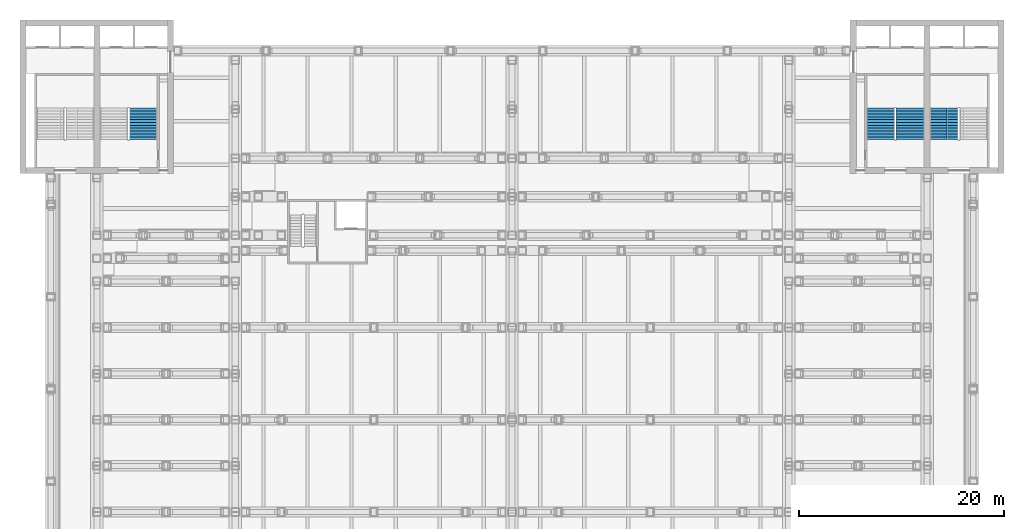
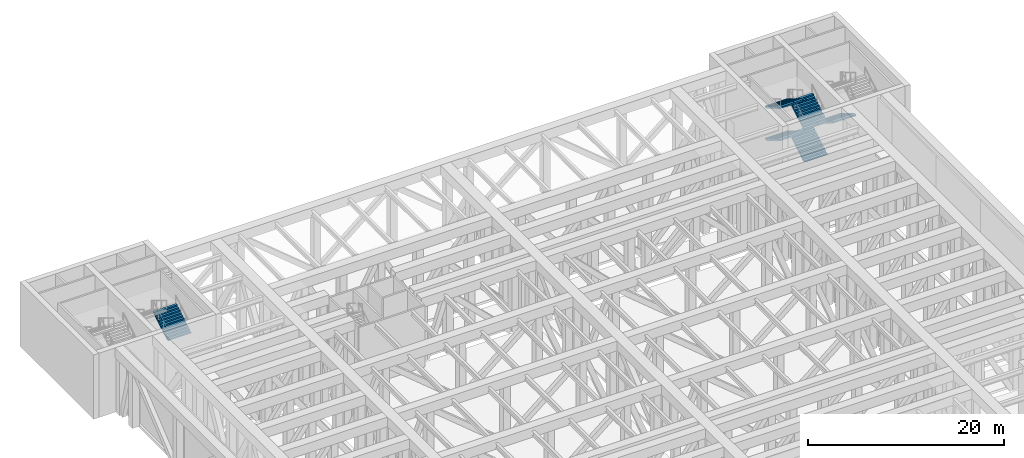
# One storey, part 16 of 20: 6 stair flights, 3 elements without a shape of their own.
"""IFC4 building model written with IfcOpenShell, lengths in metres."""

import ifcopenshell
import ifcopenshell.guid

model = None  # the IFC model being written
_history = None  # IfcOwnerHistory: only IFC2X3 demands one
_inside = {}  # id of a spatial element -> (the spatial element, [elements in it])
_under = {}  # id of a project, library or spatial element -> (it, [spatial elements below it])
_declared = {}  # id of a project -> (the project, [libraries it declares])
_typed = {}  # id of a type object -> (the type object, [elements of that type])
_made_of = {}  # id of a material, layer set ... -> (it, [elements and type objects made of it])


def new_model(schema):
    """Start an empty IFC model of exactly this schema.

    Asked for "IFC4X3", IfcOpenShell would pick the latest addendum, in which some entities
    have other attributes; the version numbers below select the first issue.
    IFC2X3 requires an IfcOwnerHistory on every rooted entity: one is made here for all.
    """
    global model, _history
    if schema == "IFC4X3":
        model = ifcopenshell.file(schema_version=(4, 3, 0, 0))
    else:
        model = ifcopenshell.file(schema=schema)
    _inside.clear()
    _under.clear()
    _declared.clear()
    _typed.clear()
    _made_of.clear()
    _history = None
    if model.schema == "IFC2X3":
        org = make("IfcOrganization", Name="unknown")
        user = make(
            "IfcPersonAndOrganization",
            ThePerson=make("IfcPerson", FamilyName="unknown"),
            TheOrganization=org,
        )
        app = make(
            "IfcApplication",
            ApplicationDeveloper=org,
            Version="unknown",
            ApplicationFullName="unknown",
            ApplicationIdentifier="unknown",
        )
        _history = make(
            "IfcOwnerHistory",
            OwningUser=user,
            OwningApplication=app,
            ChangeAction="ADDED",
            CreationDate=0,
        )
    return model


def make(cls, **values):
    """One entity of the class cls with the attributes given. An attribute that is None is left unset."""
    return model.create_entity(
        cls, **{name: value for name, value in values.items() if value is not None}
    )


def rooted(cls, **values):
    """An entity with a GlobalId (a new one), such as an element, a storey or a relation."""
    return make(cls, GlobalId=ifcopenshell.guid.new(), OwnerHistory=_history, **values)


def si_unit(unit_type, name, prefix=None):
    """IfcSIUnit, for example si_unit("LENGTHUNIT", "METRE", prefix="MILLI")."""
    return make("IfcSIUnit", UnitType=unit_type, Prefix=prefix, Name=name)


def assignment(units):
    """IfcUnitAssignment: the units of a project."""
    return None if units is None else make("IfcUnitAssignment", Units=units)


def point(xyz):
    """IfcCartesianPoint."""
    return None if xyz is None else make("IfcCartesianPoint", Coordinates=xyz)


def direction(xyz):
    """IfcDirection."""
    return None if xyz is None else make("IfcDirection", DirectionRatios=xyz)


def frame(location, z_axis=None, x_axis=None):
    """IfcAxis2Placement3D, a coordinate frame: its origin and axes. An axis left out is left unset."""
    return make(
        "IfcAxis2Placement3D",
        Location=point(location),
        Axis=direction(z_axis),
        RefDirection=direction(x_axis),
    )


def origin():
    """The frame at (0, 0, 0) with its axes left unset."""
    return frame((0.0, 0.0, 0.0))


def place(relative_to, where):
    """IfcLocalPlacement: puts the frame where relative to a parent placement (None: the world)."""
    return make(
        "IfcLocalPlacement", PlacementRelTo=relative_to, RelativePlacement=where
    )


def context(
    kind, dimensions, precision=None, world=None, true_north=None, identifier=None
):
    """IfcGeometricRepresentationContext, for example the 3D "Model" context."""
    return make(
        "IfcGeometricRepresentationContext",
        ContextIdentifier=identifier,
        ContextType=kind,
        CoordinateSpaceDimension=dimensions,
        Precision=precision,
        WorldCoordinateSystem=world,
        TrueNorth=true_north,
    )


def subcontext(parent, identifier, kind, view, scale=None):
    """IfcGeometricRepresentationSubContext, for example "Body" below "Model"."""
    return make(
        "IfcGeometricRepresentationSubContext",
        ContextIdentifier=identifier,
        ContextType=kind,
        ParentContext=parent,
        TargetScale=scale,
        TargetView=view,
    )


def project(units=None, contexts=None):
    """IfcProject with its units and contexts."""
    return rooted(
        "IfcProject",
        Name="project",
        RepresentationContexts=contexts,
        UnitsInContext=assignment(units),
    )


def spatial(cls, under=None, at=None, **own):
    """A site, building, storey or space (cls), placed at a placement, below another one or the project."""
    s = rooted(cls, ObjectPlacement=at, **own)
    if under is not None:
        _under.setdefault(under.id(), (under, []))[1].append(s)
    return s


def polyline(points):
    """IfcPolyline through the points."""
    return make("IfcPolyline", Points=[point(p) for p in points])


def outline(outer, holes=None, kind="AREA"):
    """IfcArbitraryClosedProfileDef: a profile drawn as a closed curve; with holes, ...WithVoids."""
    if holes is None:
        return make("IfcArbitraryClosedProfileDef", ProfileType=kind, OuterCurve=outer)
    return make(
        "IfcArbitraryProfileDefWithVoids",
        ProfileType=kind,
        OuterCurve=outer,
        InnerCurves=holes,
    )


def extrude(swept, where, along, depth):
    """IfcExtrudedAreaSolid: the profile swept, set in the frame where, extruded along a direction by depth."""
    return make(
        "IfcExtrudedAreaSolid",
        SweptArea=swept,
        Position=where,
        ExtrudedDirection=direction(along),
        Depth=depth,
    )


def shape(context_of_items, identifier, shape_type, items):
    """IfcShapeRepresentation: the items that make up one representation, for example the "Body"."""
    return make(
        "IfcShapeRepresentation",
        ContextOfItems=context_of_items,
        RepresentationIdentifier=identifier,
        RepresentationType=shape_type,
        Items=items,
    )


def material(Name=None, Category=None):
    """IfcMaterial."""
    return make("IfcMaterial", Name=Name, Category=Category)


def made_of(thing, what):
    """Note that an element or type object is made of a material, layer set ...; save() writes the relation."""
    if what is not None:
        _made_of.setdefault(what.id(), (what, []))[1].append(thing)
    return thing


def type_object(cls, material=None, **own):
    """A type object (cls), such as IfcWallType, which elements share."""
    return made_of(rooted(cls, **own), material)


def element(
    cls,
    number,
    at=None,
    inside=None,
    cuts=None,
    type_object=None,
    material=None,
    context=None,
    identifier="Body",
    shape_type=None,
    held_by="IfcProductDefinitionShape",
    body=None,
    shapes=None,
    **own,
):
    """One element of the class cls, such as IfcWall. Its Tag is "e" and its number.

    at: its placement. inside: the storey or other place that contains it. cuts: it is an
    opening in that element (IfcRelVoidsElement). A single representation is given by context,
    identifier, shape_type and body (its items); several are given by shapes. held_by: the class
    of the entity that holds the representations. save() writes the other relations.
    """
    e = rooted(cls, Tag="e%d" % number, ObjectPlacement=at, **own)
    if body is not None:
        shapes = [shape(context, identifier, shape_type, body)]
    if shapes is not None:
        e.Representation = make(held_by, Representations=shapes)
    if inside is not None:
        _inside.setdefault(inside.id(), (inside, []))[1].append(e)
    if cuts is not None:
        rooted(
            "IfcRelVoidsElement", RelatingBuildingElement=cuts, RelatedOpeningElement=e
        )
    if type_object is not None:
        _typed.setdefault(type_object.id(), (type_object, []))[1].append(e)
    return made_of(e, material)


def aggregate(whole, parts):
    """IfcRelAggregates: a whole, such as a stair, and the parts it consists of."""
    return rooted("IfcRelAggregates", RelatingObject=whole, RelatedObjects=parts)


def save(model, path):
    """Write the relations noted so far, then the file.

    IfcRelAggregates (storeys below a building ...), IfcRelContainedInSpatialStructure (elements
    in a storey), IfcRelDefinesByType, IfcRelAssociatesMaterial and IfcRelDeclares: one each for
    every whole, place, type object, material and project.
    """
    for whole, parts in _under.values():
        aggregate(whole, parts)
    for where, things in _inside.values():
        rooted(
            "IfcRelContainedInSpatialStructure",
            RelatedElements=things,
            RelatingStructure=where,
        )
    for kind, things in _typed.values():
        rooted("IfcRelDefinesByType", RelatedObjects=things, RelatingType=kind)
    for what, things in _made_of.values():
        rooted("IfcRelAssociatesMaterial", RelatedObjects=things, RelatingMaterial=what)
    for by, libraries in _declared.values():
        rooted("IfcRelDeclares", RelatingContext=by, RelatedDefinitions=libraries)
    model.write(path)


model = new_model("IFC4")

# Units and contexts
model_context = context("Model", 3, precision=1e-05, world=origin(), true_north=direction((0.0, 1.0)))
body_context = subcontext(model_context, "Body", "Model", "MODEL_VIEW")
ifc_project = project(units=[si_unit("LENGTHUNIT", "METRE"), si_unit("AREAUNIT", "SQUARE_METRE"), si_unit("VOLUMEUNIT", "CUBIC_METRE"), si_unit("PLANEANGLEUNIT", "RADIAN"), si_unit("MASSUNIT", "GRAM", prefix="KILO")], contexts=[model_context])

# Site, building, storey
site_placement = place(None, origin())
site = spatial("IfcSite", under=ifc_project, at=site_placement, CompositionType="ELEMENT")
building_placement = place(site_placement, origin())
building = spatial("IfcBuilding", under=site, at=building_placement, Name="Corbelhall Arena Tower", CompositionType="ELEMENT")
storey_placement = place(building_placement, frame((0.0, 0.0, 52.0)))
storey = spatial("IfcBuildingStorey", under=building, at=storey_placement, Name="L07", CompositionType="ELEMENT", Elevation=52.0)

# Stair, stair flights
ifc_material = material(Name="Reinforced concrete C40/50", Category="concrete")
stair_type = type_object("IfcStairType", Name="AR-EXIT-STAIR", PredefinedType="HALF_TURN_STAIR", material=ifc_material)
stair_1_placement = place(storey_placement, origin())
stair_1 = element("IfcStair", 1, at=stair_1_placement, inside=storey, type_object=stair_type, Name="L07 exit stair AS1", PredefinedType="HALF_TURN_STAIR")
stair_flight_type = type_object("IfcStairFlightType", Name="AR-EXIT-FLIGHT", PredefinedType="STRAIGHT", material=ifc_material)
stair_flight_1_placement = place(storey_placement, frame((38.840087890625, 27.320068359375, 0.0), z_axis=(0.0, 0.0, 1.0), x_axis=(0.0, 1.0, 0.0)))
stair_flight_1 = element("IfcStairFlight", 2, at=stair_flight_1_placement, type_object=stair_flight_type, Name="AS1 flight 1", NumberOfRisers=12, NumberOfTreads=11, PredefinedType="STRAIGHT", RiserHeight=0.166666667, TreadLength=0.28, context=body_context, shape_type="SweptSolid", body=[
    extrude(outline(polyline([(0.0, 0.0), (0.0, 0.166748046875), (0.280029296875, 0.166748046875), (0.280029296875, 0.333251953125), (0.56005859375, 0.333251953125), (0.56005859375, 0.5), (0.840087890625, 0.5), (0.840087890625, 0.666748046875), (1.1201171875, 0.666748046875), (1.1201171875, 0.833251953125), (1.39990234375, 0.833251953125), (1.39990234375, 1.0), (1.679931640625, 1.0), (1.679931640625, 1.166748046875), (1.9599609375, 1.166748046875), (1.9599609375, 1.333251953125), (2.239990234375, 1.333251953125), (2.239990234375, 1.5), (2.52001953125, 1.5), (2.52001953125, 1.666748046875), (2.800048828125, 1.666748046875), (2.800048828125, 1.833251953125), (3.080078125, 1.833251953125), (3.080078125, 2.0), (3.080078125, 1.658935546875), (0.29296875, 0.0), (0.0, 0.0)])), frame((0.0, 1.35986328125, 0.0), z_axis=(0.0, -1.0, 0.0), x_axis=(1.0, 0.0, 0.0)), (0.0, 0.0, 1.0), 0.449951171875),
    extrude(outline(polyline([(0.0, 0.0), (0.0, 0.166748046875), (0.280029296875, 0.166748046875), (0.280029296875, 0.333251953125), (0.56005859375, 0.333251953125), (0.56005859375, 0.5), (0.840087890625, 0.5), (0.840087890625, 0.666748046875), (1.1201171875, 0.666748046875), (1.1201171875, 0.833251953125), (1.39990234375, 0.833251953125), (1.39990234375, 1.0), (1.679931640625, 1.0), (1.679931640625, 1.166748046875), (1.9599609375, 1.166748046875), (1.9599609375, 1.333251953125), (2.239990234375, 1.333251953125), (2.239990234375, 1.5), (2.52001953125, 1.5), (2.52001953125, 1.666748046875), (2.800048828125, 1.666748046875), (2.800048828125, 1.833251953125), (3.080078125, 1.833251953125), (3.080078125, 2.0), (3.080078125, 1.658935546875), (0.29296875, 0.0), (0.0, 0.0)])), frame((0.0, 0.906005859375, 0.0), z_axis=(0.0, -1.0, 0.0), x_axis=(1.0, 0.0, 0.0)), (0.0, 0.0, 1.0), 0.601318359375),
    extrude(outline(polyline([(0.0, 0.0), (0.0, 0.166748046875), (0.280029296875, 0.166748046875), (0.280029296875, 0.333251953125), (0.56005859375, 0.333251953125), (0.56005859375, 0.5), (0.840087890625, 0.5), (0.840087890625, 0.666748046875), (1.1201171875, 0.666748046875), (1.1201171875, 0.833251953125), (1.39990234375, 0.833251953125), (1.39990234375, 1.0), (1.679931640625, 1.0), (1.679931640625, 1.166748046875), (1.9599609375, 1.166748046875), (1.9599609375, 1.333251953125), (2.239990234375, 1.333251953125), (2.239990234375, 1.5), (2.52001953125, 1.5), (2.52001953125, 1.666748046875), (2.800048828125, 1.666748046875), (2.800048828125, 1.833251953125), (3.080078125, 1.833251953125), (3.080078125, 2.0), (3.080078125, 1.658935546875), (0.29296875, 0.0), (0.0, 0.0)])), frame((0.0, 0.30078125, 0.0), z_axis=(0.0, -1.0, 0.0), x_axis=(1.0, 0.0, 0.0)), (0.0, 0.0, 1.0), 0.601318359375),
    extrude(outline(polyline([(0.0, 0.0), (0.0, 0.166748046875), (0.280029296875, 0.166748046875), (0.280029296875, 0.333251953125), (0.56005859375, 0.333251953125), (0.56005859375, 0.5), (0.840087890625, 0.5), (0.840087890625, 0.666748046875), (1.1201171875, 0.666748046875), (1.1201171875, 0.833251953125), (1.39990234375, 0.833251953125), (1.39990234375, 1.0), (1.679931640625, 1.0), (1.679931640625, 1.166748046875), (1.9599609375, 1.166748046875), (1.9599609375, 1.333251953125), (2.239990234375, 1.333251953125), (2.239990234375, 1.5), (2.52001953125, 1.5), (2.52001953125, 1.666748046875), (2.800048828125, 1.666748046875), (2.800048828125, 1.833251953125), (3.080078125, 1.833251953125), (3.080078125, 2.0), (3.080078125, 1.658935546875), (0.29296875, 0.0), (0.0, 0.0)])), frame((0.0, -0.3046875, 0.0), z_axis=(0.0, -1.0, 0.0), x_axis=(1.0, 0.0, 0.0)), (0.0, 0.0, 1.0), 0.601318359375),
    extrude(outline(polyline([(0.0, 0.0), (0.0, 0.166748046875), (0.280029296875, 0.166748046875), (0.280029296875, 0.333251953125), (0.56005859375, 0.333251953125), (0.56005859375, 0.5), (0.840087890625, 0.5), (0.840087890625, 0.666748046875), (1.1201171875, 0.666748046875), (1.1201171875, 0.833251953125), (1.39990234375, 0.833251953125), (1.39990234375, 1.0), (1.679931640625, 1.0), (1.679931640625, 1.166748046875), (1.9599609375, 1.166748046875), (1.9599609375, 1.333251953125), (2.239990234375, 1.333251953125), (2.239990234375, 1.5), (2.52001953125, 1.5), (2.52001953125, 1.666748046875), (2.800048828125, 1.666748046875), (2.800048828125, 1.833251953125), (3.080078125, 1.833251953125), (3.080078125, 2.0), (3.080078125, 1.658935546875), (0.29296875, 0.0), (0.0, 0.0)])), frame((0.0, -0.909912109375, 0.0), z_axis=(0.0, -1.0, 0.0), x_axis=(1.0, 0.0, 0.0)), (0.0, 0.0, 1.0), 0.449951171875),
])
stair_flight_2_placement = place(storey_placement, frame((35.969970703125, 30.39990234375, 2.0), z_axis=(0.0, 0.0, 1.0), x_axis=(0.0, -1.0, 0.0)))
stair_flight_2 = element("IfcStairFlight", 3, at=stair_flight_2_placement, type_object=stair_flight_type, Name="AS1 flight 2", NumberOfRisers=12, NumberOfTreads=11, PredefinedType="STRAIGHT", RiserHeight=0.166666667, TreadLength=0.28, context=body_context, shape_type="SweptSolid", body=[
    extrude(outline(polyline([(0.0, 0.0), (0.0, 0.166748046875), (0.280029296875, 0.166748046875), (0.280029296875, 0.333251953125), (0.56005859375, 0.333251953125), (0.56005859375, 0.5), (0.840087890625, 0.5), (0.840087890625, 0.666748046875), (1.1201171875, 0.666748046875), (1.1201171875, 0.833251953125), (1.39990234375, 0.833251953125), (1.39990234375, 1.0), (1.679931640625, 1.0), (1.679931640625, 1.166748046875), (1.9599609375, 1.166748046875), (1.9599609375, 1.333251953125), (2.239990234375, 1.333251953125), (2.239990234375, 1.5), (2.52001953125, 1.5), (2.52001953125, 1.666748046875), (2.800048828125, 1.666748046875), (2.800048828125, 1.833251953125), (3.080078125, 1.833251953125), (3.080078125, 2.0), (3.080078125, 1.658935546875), (0.29296875, 0.0), (0.0, 0.0)])), frame((0.0, 1.35986328125, 0.0), z_axis=(0.0, -1.0, 0.0), x_axis=(1.0, 0.0, 0.0)), (0.0, 0.0, 1.0), 0.449951171875),
    extrude(outline(polyline([(0.0, 0.0), (0.0, 0.166748046875), (0.280029296875, 0.166748046875), (0.280029296875, 0.333251953125), (0.56005859375, 0.333251953125), (0.56005859375, 0.5), (0.840087890625, 0.5), (0.840087890625, 0.666748046875), (1.1201171875, 0.666748046875), (1.1201171875, 0.833251953125), (1.39990234375, 0.833251953125), (1.39990234375, 1.0), (1.679931640625, 1.0), (1.679931640625, 1.166748046875), (1.9599609375, 1.166748046875), (1.9599609375, 1.333251953125), (2.239990234375, 1.333251953125), (2.239990234375, 1.5), (2.52001953125, 1.5), (2.52001953125, 1.666748046875), (2.800048828125, 1.666748046875), (2.800048828125, 1.833251953125), (3.080078125, 1.833251953125), (3.080078125, 2.0), (3.080078125, 1.658935546875), (0.29296875, 0.0), (0.0, 0.0)])), frame((0.0, 0.906005859375, 0.0), z_axis=(0.0, -1.0, 0.0), x_axis=(1.0, 0.0, 0.0)), (0.0, 0.0, 1.0), 0.601318359375),
    extrude(outline(polyline([(0.0, 0.0), (0.0, 0.166748046875), (0.280029296875, 0.166748046875), (0.280029296875, 0.333251953125), (0.56005859375, 0.333251953125), (0.56005859375, 0.5), (0.840087890625, 0.5), (0.840087890625, 0.666748046875), (1.1201171875, 0.666748046875), (1.1201171875, 0.833251953125), (1.39990234375, 0.833251953125), (1.39990234375, 1.0), (1.679931640625, 1.0), (1.679931640625, 1.166748046875), (1.9599609375, 1.166748046875), (1.9599609375, 1.333251953125), (2.239990234375, 1.333251953125), (2.239990234375, 1.5), (2.52001953125, 1.5), (2.52001953125, 1.666748046875), (2.800048828125, 1.666748046875), (2.800048828125, 1.833251953125), (3.080078125, 1.833251953125), (3.080078125, 2.0), (3.080078125, 1.658935546875), (0.29296875, 0.0), (0.0, 0.0)])), frame((0.0, 0.30078125, 0.0), z_axis=(0.0, -1.0, 0.0), x_axis=(1.0, 0.0, 0.0)), (0.0, 0.0, 1.0), 0.601318359375),
    extrude(outline(polyline([(0.0, 0.0), (0.0, 0.166748046875), (0.280029296875, 0.166748046875), (0.280029296875, 0.333251953125), (0.56005859375, 0.333251953125), (0.56005859375, 0.5), (0.840087890625, 0.5), (0.840087890625, 0.666748046875), (1.1201171875, 0.666748046875), (1.1201171875, 0.833251953125), (1.39990234375, 0.833251953125), (1.39990234375, 1.0), (1.679931640625, 1.0), (1.679931640625, 1.166748046875), (1.9599609375, 1.166748046875), (1.9599609375, 1.333251953125), (2.239990234375, 1.333251953125), (2.239990234375, 1.5), (2.52001953125, 1.5), (2.52001953125, 1.666748046875), (2.800048828125, 1.666748046875), (2.800048828125, 1.833251953125), (3.080078125, 1.833251953125), (3.080078125, 2.0), (3.080078125, 1.658935546875), (0.29296875, 0.0), (0.0, 0.0)])), frame((0.0, -0.3046875, 0.0), z_axis=(0.0, -1.0, 0.0), x_axis=(1.0, 0.0, 0.0)), (0.0, 0.0, 1.0), 0.601318359375),
    extrude(outline(polyline([(0.0, 0.0), (0.0, 0.166748046875), (0.280029296875, 0.166748046875), (0.280029296875, 0.333251953125), (0.56005859375, 0.333251953125), (0.56005859375, 0.5), (0.840087890625, 0.5), (0.840087890625, 0.666748046875), (1.1201171875, 0.666748046875), (1.1201171875, 0.833251953125), (1.39990234375, 0.833251953125), (1.39990234375, 1.0), (1.679931640625, 1.0), (1.679931640625, 1.166748046875), (1.9599609375, 1.166748046875), (1.9599609375, 1.333251953125), (2.239990234375, 1.333251953125), (2.239990234375, 1.5), (2.52001953125, 1.5), (2.52001953125, 1.666748046875), (2.800048828125, 1.666748046875), (2.800048828125, 1.833251953125), (3.080078125, 1.833251953125), (3.080078125, 2.0), (3.080078125, 1.658935546875), (0.29296875, 0.0), (0.0, 0.0)])), frame((0.0, -0.909912109375, 0.0), z_axis=(0.0, -1.0, 0.0), x_axis=(1.0, 0.0, 0.0)), (0.0, 0.0, 1.0), 0.449951171875),
])
stair_flight_3_placement = place(storey_placement, frame((38.840087890625, 27.320068359375, 4.0), z_axis=(0.0, 0.0, 1.0), x_axis=(0.0, 1.0, 0.0)))
stair_flight_3 = element("IfcStairFlight", 4, at=stair_flight_3_placement, type_object=stair_flight_type, Name="AS1 flight 3", NumberOfRisers=12, NumberOfTreads=11, PredefinedType="STRAIGHT", RiserHeight=0.166666667, TreadLength=0.28, context=body_context, shape_type="SweptSolid", body=[
    extrude(outline(polyline([(0.0, 0.0), (0.0, 0.166748046875), (0.280029296875, 0.166748046875), (0.280029296875, 0.333251953125), (0.56005859375, 0.333251953125), (0.56005859375, 0.5), (0.840087890625, 0.5), (0.840087890625, 0.666748046875), (1.1201171875, 0.666748046875), (1.1201171875, 0.833251953125), (1.39990234375, 0.833251953125), (1.39990234375, 1.0), (1.679931640625, 1.0), (1.679931640625, 1.166748046875), (1.9599609375, 1.166748046875), (1.9599609375, 1.333251953125), (2.239990234375, 1.333251953125), (2.239990234375, 1.5), (2.52001953125, 1.5), (2.52001953125, 1.666748046875), (2.800048828125, 1.666748046875), (2.800048828125, 1.833251953125), (3.080078125, 1.833251953125), (3.080078125, 2.0), (3.080078125, 1.658935546875), (0.29296875, 0.0), (0.0, 0.0)])), frame((0.0, 1.35986328125, 0.0), z_axis=(0.0, -1.0, 0.0), x_axis=(1.0, 0.0, 0.0)), (0.0, 0.0, 1.0), 0.449951171875),
    extrude(outline(polyline([(0.0, 0.0), (0.0, 0.166748046875), (0.280029296875, 0.166748046875), (0.280029296875, 0.333251953125), (0.56005859375, 0.333251953125), (0.56005859375, 0.5), (0.840087890625, 0.5), (0.840087890625, 0.666748046875), (1.1201171875, 0.666748046875), (1.1201171875, 0.833251953125), (1.39990234375, 0.833251953125), (1.39990234375, 1.0), (1.679931640625, 1.0), (1.679931640625, 1.166748046875), (1.9599609375, 1.166748046875), (1.9599609375, 1.333251953125), (2.239990234375, 1.333251953125), (2.239990234375, 1.5), (2.52001953125, 1.5), (2.52001953125, 1.666748046875), (2.800048828125, 1.666748046875), (2.800048828125, 1.833251953125), (3.080078125, 1.833251953125), (3.080078125, 2.0), (3.080078125, 1.658935546875), (0.29296875, 0.0), (0.0, 0.0)])), frame((0.0, 0.906005859375, 0.0), z_axis=(0.0, -1.0, 0.0), x_axis=(1.0, 0.0, 0.0)), (0.0, 0.0, 1.0), 0.601318359375),
    extrude(outline(polyline([(0.0, 0.0), (0.0, 0.166748046875), (0.280029296875, 0.166748046875), (0.280029296875, 0.333251953125), (0.56005859375, 0.333251953125), (0.56005859375, 0.5), (0.840087890625, 0.5), (0.840087890625, 0.666748046875), (1.1201171875, 0.666748046875), (1.1201171875, 0.833251953125), (1.39990234375, 0.833251953125), (1.39990234375, 1.0), (1.679931640625, 1.0), (1.679931640625, 1.166748046875), (1.9599609375, 1.166748046875), (1.9599609375, 1.333251953125), (2.239990234375, 1.333251953125), (2.239990234375, 1.5), (2.52001953125, 1.5), (2.52001953125, 1.666748046875), (2.800048828125, 1.666748046875), (2.800048828125, 1.833251953125), (3.080078125, 1.833251953125), (3.080078125, 2.0), (3.080078125, 1.658935546875), (0.29296875, 0.0), (0.0, 0.0)])), frame((0.0, 0.30078125, 0.0), z_axis=(0.0, -1.0, 0.0), x_axis=(1.0, 0.0, 0.0)), (0.0, 0.0, 1.0), 0.601318359375),
    extrude(outline(polyline([(0.0, 0.0), (0.0, 0.166748046875), (0.280029296875, 0.166748046875), (0.280029296875, 0.333251953125), (0.56005859375, 0.333251953125), (0.56005859375, 0.5), (0.840087890625, 0.5), (0.840087890625, 0.666748046875), (1.1201171875, 0.666748046875), (1.1201171875, 0.833251953125), (1.39990234375, 0.833251953125), (1.39990234375, 1.0), (1.679931640625, 1.0), (1.679931640625, 1.166748046875), (1.9599609375, 1.166748046875), (1.9599609375, 1.333251953125), (2.239990234375, 1.333251953125), (2.239990234375, 1.5), (2.52001953125, 1.5), (2.52001953125, 1.666748046875), (2.800048828125, 1.666748046875), (2.800048828125, 1.833251953125), (3.080078125, 1.833251953125), (3.080078125, 2.0), (3.080078125, 1.658935546875), (0.29296875, 0.0), (0.0, 0.0)])), frame((0.0, -0.3046875, 0.0), z_axis=(0.0, -1.0, 0.0), x_axis=(1.0, 0.0, 0.0)), (0.0, 0.0, 1.0), 0.601318359375),
    extrude(outline(polyline([(0.0, 0.0), (0.0, 0.166748046875), (0.280029296875, 0.166748046875), (0.280029296875, 0.333251953125), (0.56005859375, 0.333251953125), (0.56005859375, 0.5), (0.840087890625, 0.5), (0.840087890625, 0.666748046875), (1.1201171875, 0.666748046875), (1.1201171875, 0.833251953125), (1.39990234375, 0.833251953125), (1.39990234375, 1.0), (1.679931640625, 1.0), (1.679931640625, 1.166748046875), (1.9599609375, 1.166748046875), (1.9599609375, 1.333251953125), (2.239990234375, 1.333251953125), (2.239990234375, 1.5), (2.52001953125, 1.5), (2.52001953125, 1.666748046875), (2.800048828125, 1.666748046875), (2.800048828125, 1.833251953125), (3.080078125, 1.833251953125), (3.080078125, 2.0), (3.080078125, 1.658935546875), (0.29296875, 0.0), (0.0, 0.0)])), frame((0.0, -0.909912109375, 0.0), z_axis=(0.0, -1.0, 0.0), x_axis=(1.0, 0.0, 0.0)), (0.0, 0.0, 1.0), 0.449951171875),
])
stair_flight_4_placement = place(storey_placement, frame((35.969970703125, 30.39990234375, 6.0), z_axis=(0.0, 0.0, 1.0), x_axis=(0.0, -1.0, 0.0)))
stair_flight_4 = element("IfcStairFlight", 5, at=stair_flight_4_placement, type_object=stair_flight_type, Name="AS1 flight 4", NumberOfRisers=12, NumberOfTreads=11, PredefinedType="STRAIGHT", RiserHeight=0.166666667, TreadLength=0.28, context=body_context, shape_type="SweptSolid", body=[
    extrude(outline(polyline([(0.0, 0.0), (0.0, 0.166748046875), (0.280029296875, 0.166748046875), (0.280029296875, 0.333251953125), (0.56005859375, 0.333251953125), (0.56005859375, 0.5), (0.840087890625, 0.5), (0.840087890625, 0.666748046875), (1.1201171875, 0.666748046875), (1.1201171875, 0.833251953125), (1.39990234375, 0.833251953125), (1.39990234375, 1.0), (1.679931640625, 1.0), (1.679931640625, 1.166748046875), (1.9599609375, 1.166748046875), (1.9599609375, 1.333251953125), (2.239990234375, 1.333251953125), (2.239990234375, 1.5), (2.52001953125, 1.5), (2.52001953125, 1.666748046875), (2.800048828125, 1.666748046875), (2.800048828125, 1.833251953125), (3.080078125, 1.833251953125), (3.080078125, 2.0), (3.080078125, 1.658935546875), (0.29296875, 0.0), (0.0, 0.0)])), frame((0.0, 1.35986328125, 0.0), z_axis=(0.0, -1.0, 0.0), x_axis=(1.0, 0.0, 0.0)), (0.0, 0.0, 1.0), 0.449951171875),
    extrude(outline(polyline([(0.0, 0.0), (0.0, 0.166748046875), (0.280029296875, 0.166748046875), (0.280029296875, 0.333251953125), (0.56005859375, 0.333251953125), (0.56005859375, 0.5), (0.840087890625, 0.5), (0.840087890625, 0.666748046875), (1.1201171875, 0.666748046875), (1.1201171875, 0.833251953125), (1.39990234375, 0.833251953125), (1.39990234375, 1.0), (1.679931640625, 1.0), (1.679931640625, 1.166748046875), (1.9599609375, 1.166748046875), (1.9599609375, 1.333251953125), (2.239990234375, 1.333251953125), (2.239990234375, 1.5), (2.52001953125, 1.5), (2.52001953125, 1.666748046875), (2.800048828125, 1.666748046875), (2.800048828125, 1.833251953125), (3.080078125, 1.833251953125), (3.080078125, 2.0), (3.080078125, 1.658935546875), (0.29296875, 0.0), (0.0, 0.0)])), frame((0.0, 0.906005859375, 0.0), z_axis=(0.0, -1.0, 0.0), x_axis=(1.0, 0.0, 0.0)), (0.0, 0.0, 1.0), 0.601318359375),
    extrude(outline(polyline([(0.0, 0.0), (0.0, 0.166748046875), (0.280029296875, 0.166748046875), (0.280029296875, 0.333251953125), (0.56005859375, 0.333251953125), (0.56005859375, 0.5), (0.840087890625, 0.5), (0.840087890625, 0.666748046875), (1.1201171875, 0.666748046875), (1.1201171875, 0.833251953125), (1.39990234375, 0.833251953125), (1.39990234375, 1.0), (1.679931640625, 1.0), (1.679931640625, 1.166748046875), (1.9599609375, 1.166748046875), (1.9599609375, 1.333251953125), (2.239990234375, 1.333251953125), (2.239990234375, 1.5), (2.52001953125, 1.5), (2.52001953125, 1.666748046875), (2.800048828125, 1.666748046875), (2.800048828125, 1.833251953125), (3.080078125, 1.833251953125), (3.080078125, 2.0), (3.080078125, 1.658935546875), (0.29296875, 0.0), (0.0, 0.0)])), frame((0.0, 0.30078125, 0.0), z_axis=(0.0, -1.0, 0.0), x_axis=(1.0, 0.0, 0.0)), (0.0, 0.0, 1.0), 0.601318359375),
    extrude(outline(polyline([(0.0, 0.0), (0.0, 0.166748046875), (0.280029296875, 0.166748046875), (0.280029296875, 0.333251953125), (0.56005859375, 0.333251953125), (0.56005859375, 0.5), (0.840087890625, 0.5), (0.840087890625, 0.666748046875), (1.1201171875, 0.666748046875), (1.1201171875, 0.833251953125), (1.39990234375, 0.833251953125), (1.39990234375, 1.0), (1.679931640625, 1.0), (1.679931640625, 1.166748046875), (1.9599609375, 1.166748046875), (1.9599609375, 1.333251953125), (2.239990234375, 1.333251953125), (2.239990234375, 1.5), (2.52001953125, 1.5), (2.52001953125, 1.666748046875), (2.800048828125, 1.666748046875), (2.800048828125, 1.833251953125), (3.080078125, 1.833251953125), (3.080078125, 2.0), (3.080078125, 1.658935546875), (0.29296875, 0.0), (0.0, 0.0)])), frame((0.0, -0.3046875, 0.0), z_axis=(0.0, -1.0, 0.0), x_axis=(1.0, 0.0, 0.0)), (0.0, 0.0, 1.0), 0.601318359375),
    extrude(outline(polyline([(0.0, 0.0), (0.0, 0.166748046875), (0.280029296875, 0.166748046875), (0.280029296875, 0.333251953125), (0.56005859375, 0.333251953125), (0.56005859375, 0.5), (0.840087890625, 0.5), (0.840087890625, 0.666748046875), (1.1201171875, 0.666748046875), (1.1201171875, 0.833251953125), (1.39990234375, 0.833251953125), (1.39990234375, 1.0), (1.679931640625, 1.0), (1.679931640625, 1.166748046875), (1.9599609375, 1.166748046875), (1.9599609375, 1.333251953125), (2.239990234375, 1.333251953125), (2.239990234375, 1.5), (2.52001953125, 1.5), (2.52001953125, 1.666748046875), (2.800048828125, 1.666748046875), (2.800048828125, 1.833251953125), (3.080078125, 1.833251953125), (3.080078125, 2.0), (3.080078125, 1.658935546875), (0.29296875, 0.0), (0.0, 0.0)])), frame((0.0, -0.909912109375, 0.0), z_axis=(0.0, -1.0, 0.0), x_axis=(1.0, 0.0, 0.0)), (0.0, 0.0, 1.0), 0.449951171875),
])
aggregate(stair_1, [stair_flight_1, stair_flight_2, stair_flight_3, stair_flight_4])

# Stair, stair flight
stair_2_placement = place(storey_placement, origin())
stair_2 = element("IfcStair", 6, at=stair_2_placement, inside=storey, type_object=stair_type, Name="L07 exit stair AS2", PredefinedType="HALF_TURN_STAIR")
stair_flight_5_placement = place(storey_placement, frame((42.159912109375, 30.39990234375, 2.0), z_axis=(0.0, 0.0, 1.0), x_axis=(0.0, -1.0, 0.0)))
stair_flight_5 = element("IfcStairFlight", 7, at=stair_flight_5_placement, type_object=stair_flight_type, Name="AS2 flight 2", NumberOfRisers=12, NumberOfTreads=11, PredefinedType="STRAIGHT", RiserHeight=0.166666667, TreadLength=0.28, context=body_context, shape_type="SweptSolid", body=[
    extrude(outline(polyline([(0.0, 0.0), (0.0, 0.166748046875), (0.280029296875, 0.166748046875), (0.280029296875, 0.333251953125), (0.56005859375, 0.333251953125), (0.56005859375, 0.5), (0.840087890625, 0.5), (0.840087890625, 0.666748046875), (1.1201171875, 0.666748046875), (1.1201171875, 0.833251953125), (1.39990234375, 0.833251953125), (1.39990234375, 1.0), (1.679931640625, 1.0), (1.679931640625, 1.166748046875), (1.9599609375, 1.166748046875), (1.9599609375, 1.333251953125), (2.239990234375, 1.333251953125), (2.239990234375, 1.5), (2.52001953125, 1.5), (2.52001953125, 1.666748046875), (2.800048828125, 1.666748046875), (2.800048828125, 1.833251953125), (3.080078125, 1.833251953125), (3.080078125, 2.0), (3.080078125, 1.658935546875), (0.29296875, 0.0), (0.0, 0.0)])), frame((0.0, 1.35986328125, 0.0), z_axis=(0.0, -1.0, 0.0), x_axis=(1.0, 0.0, 0.0)), (0.0, 0.0, 1.0), 0.449951171875),
    extrude(outline(polyline([(0.0, 0.0), (0.0, 0.166748046875), (0.280029296875, 0.166748046875), (0.280029296875, 0.333251953125), (0.56005859375, 0.333251953125), (0.56005859375, 0.5), (0.840087890625, 0.5), (0.840087890625, 0.666748046875), (1.1201171875, 0.666748046875), (1.1201171875, 0.833251953125), (1.39990234375, 0.833251953125), (1.39990234375, 1.0), (1.679931640625, 1.0), (1.679931640625, 1.166748046875), (1.9599609375, 1.166748046875), (1.9599609375, 1.333251953125), (2.239990234375, 1.333251953125), (2.239990234375, 1.5), (2.52001953125, 1.5), (2.52001953125, 1.666748046875), (2.800048828125, 1.666748046875), (2.800048828125, 1.833251953125), (3.080078125, 1.833251953125), (3.080078125, 2.0), (3.080078125, 1.658935546875), (0.29296875, 0.0), (0.0, 0.0)])), frame((0.0, 0.906005859375, 0.0), z_axis=(0.0, -1.0, 0.0), x_axis=(1.0, 0.0, 0.0)), (0.0, 0.0, 1.0), 0.601318359375),
    extrude(outline(polyline([(0.0, 0.0), (0.0, 0.166748046875), (0.280029296875, 0.166748046875), (0.280029296875, 0.333251953125), (0.56005859375, 0.333251953125), (0.56005859375, 0.5), (0.840087890625, 0.5), (0.840087890625, 0.666748046875), (1.1201171875, 0.666748046875), (1.1201171875, 0.833251953125), (1.39990234375, 0.833251953125), (1.39990234375, 1.0), (1.679931640625, 1.0), (1.679931640625, 1.166748046875), (1.9599609375, 1.166748046875), (1.9599609375, 1.333251953125), (2.239990234375, 1.333251953125), (2.239990234375, 1.5), (2.52001953125, 1.5), (2.52001953125, 1.666748046875), (2.800048828125, 1.666748046875), (2.800048828125, 1.833251953125), (3.080078125, 1.833251953125), (3.080078125, 2.0), (3.080078125, 1.658935546875), (0.29296875, 0.0), (0.0, 0.0)])), frame((0.0, 0.30078125, 0.0), z_axis=(0.0, -1.0, 0.0), x_axis=(1.0, 0.0, 0.0)), (0.0, 0.0, 1.0), 0.601318359375),
    extrude(outline(polyline([(0.0, 0.0), (0.0, 0.166748046875), (0.280029296875, 0.166748046875), (0.280029296875, 0.333251953125), (0.56005859375, 0.333251953125), (0.56005859375, 0.5), (0.840087890625, 0.5), (0.840087890625, 0.666748046875), (1.1201171875, 0.666748046875), (1.1201171875, 0.833251953125), (1.39990234375, 0.833251953125), (1.39990234375, 1.0), (1.679931640625, 1.0), (1.679931640625, 1.166748046875), (1.9599609375, 1.166748046875), (1.9599609375, 1.333251953125), (2.239990234375, 1.333251953125), (2.239990234375, 1.5), (2.52001953125, 1.5), (2.52001953125, 1.666748046875), (2.800048828125, 1.666748046875), (2.800048828125, 1.833251953125), (3.080078125, 1.833251953125), (3.080078125, 2.0), (3.080078125, 1.658935546875), (0.29296875, 0.0), (0.0, 0.0)])), frame((0.0, -0.3046875, 0.0), z_axis=(0.0, -1.0, 0.0), x_axis=(1.0, 0.0, 0.0)), (0.0, 0.0, 1.0), 0.601318359375),
    extrude(outline(polyline([(0.0, 0.0), (0.0, 0.166748046875), (0.280029296875, 0.166748046875), (0.280029296875, 0.333251953125), (0.56005859375, 0.333251953125), (0.56005859375, 0.5), (0.840087890625, 0.5), (0.840087890625, 0.666748046875), (1.1201171875, 0.666748046875), (1.1201171875, 0.833251953125), (1.39990234375, 0.833251953125), (1.39990234375, 1.0), (1.679931640625, 1.0), (1.679931640625, 1.166748046875), (1.9599609375, 1.166748046875), (1.9599609375, 1.333251953125), (2.239990234375, 1.333251953125), (2.239990234375, 1.5), (2.52001953125, 1.5), (2.52001953125, 1.666748046875), (2.800048828125, 1.666748046875), (2.800048828125, 1.833251953125), (3.080078125, 1.833251953125), (3.080078125, 2.0), (3.080078125, 1.658935546875), (0.29296875, 0.0), (0.0, 0.0)])), frame((0.0, -0.909912109375, 0.0), z_axis=(0.0, -1.0, 0.0), x_axis=(1.0, 0.0, 0.0)), (0.0, 0.0, 1.0), 0.449951171875),
])
aggregate(stair_2, [stair_flight_5])

stair_3_placement = place(storey_placement, origin())
stair_3 = element("IfcStair", 8, at=stair_3_placement, inside=storey, type_object=stair_type, Name="L07 exit stair AS3", PredefinedType="HALF_TURN_STAIR")
stair_flight_6_placement = place(storey_placement, frame((-35.969970703125, 27.320068359375, 4.0), z_axis=(0.0, 0.0, 1.0), x_axis=(0.0, 1.0, 0.0)))
stair_flight_6 = element("IfcStairFlight", 9, at=stair_flight_6_placement, type_object=stair_flight_type, Name="AS3 flight 3", NumberOfRisers=12, NumberOfTreads=11, PredefinedType="STRAIGHT", RiserHeight=0.166666667, TreadLength=0.28, context=body_context, shape_type="SweptSolid", body=[
    extrude(outline(polyline([(0.0, 0.0), (0.0, 0.166748046875), (0.280029296875, 0.166748046875), (0.280029296875, 0.333251953125), (0.56005859375, 0.333251953125), (0.56005859375, 0.5), (0.840087890625, 0.5), (0.840087890625, 0.666748046875), (1.1201171875, 0.666748046875), (1.1201171875, 0.833251953125), (1.39990234375, 0.833251953125), (1.39990234375, 1.0), (1.679931640625, 1.0), (1.679931640625, 1.166748046875), (1.9599609375, 1.166748046875), (1.9599609375, 1.333251953125), (2.239990234375, 1.333251953125), (2.239990234375, 1.5), (2.52001953125, 1.5), (2.52001953125, 1.666748046875), (2.800048828125, 1.666748046875), (2.800048828125, 1.833251953125), (3.080078125, 1.833251953125), (3.080078125, 2.0), (3.080078125, 1.658935546875), (0.29296875, 0.0), (0.0, 0.0)])), frame((0.0, 1.35986328125, 0.0), z_axis=(0.0, -1.0, 0.0), x_axis=(1.0, 0.0, 0.0)), (0.0, 0.0, 1.0), 0.449951171875),
    extrude(outline(polyline([(0.0, 0.0), (0.0, 0.166748046875), (0.280029296875, 0.166748046875), (0.280029296875, 0.333251953125), (0.56005859375, 0.333251953125), (0.56005859375, 0.5), (0.840087890625, 0.5), (0.840087890625, 0.666748046875), (1.1201171875, 0.666748046875), (1.1201171875, 0.833251953125), (1.39990234375, 0.833251953125), (1.39990234375, 1.0), (1.679931640625, 1.0), (1.679931640625, 1.166748046875), (1.9599609375, 1.166748046875), (1.9599609375, 1.333251953125), (2.239990234375, 1.333251953125), (2.239990234375, 1.5), (2.52001953125, 1.5), (2.52001953125, 1.666748046875), (2.800048828125, 1.666748046875), (2.800048828125, 1.833251953125), (3.080078125, 1.833251953125), (3.080078125, 2.0), (3.080078125, 1.658935546875), (0.29296875, 0.0), (0.0, 0.0)])), frame((0.0, 0.906005859375, 0.0), z_axis=(0.0, -1.0, 0.0), x_axis=(1.0, 0.0, 0.0)), (0.0, 0.0, 1.0), 0.601318359375),
    extrude(outline(polyline([(0.0, 0.0), (0.0, 0.166748046875), (0.280029296875, 0.166748046875), (0.280029296875, 0.333251953125), (0.56005859375, 0.333251953125), (0.56005859375, 0.5), (0.840087890625, 0.5), (0.840087890625, 0.666748046875), (1.1201171875, 0.666748046875), (1.1201171875, 0.833251953125), (1.39990234375, 0.833251953125), (1.39990234375, 1.0), (1.679931640625, 1.0), (1.679931640625, 1.166748046875), (1.9599609375, 1.166748046875), (1.9599609375, 1.333251953125), (2.239990234375, 1.333251953125), (2.239990234375, 1.5), (2.52001953125, 1.5), (2.52001953125, 1.666748046875), (2.800048828125, 1.666748046875), (2.800048828125, 1.833251953125), (3.080078125, 1.833251953125), (3.080078125, 2.0), (3.080078125, 1.658935546875), (0.29296875, 0.0), (0.0, 0.0)])), frame((0.0, 0.30078125, 0.0), z_axis=(0.0, -1.0, 0.0), x_axis=(1.0, 0.0, 0.0)), (0.0, 0.0, 1.0), 0.601318359375),
    extrude(outline(polyline([(0.0, 0.0), (0.0, 0.166748046875), (0.280029296875, 0.166748046875), (0.280029296875, 0.333251953125), (0.56005859375, 0.333251953125), (0.56005859375, 0.5), (0.840087890625, 0.5), (0.840087890625, 0.666748046875), (1.1201171875, 0.666748046875), (1.1201171875, 0.833251953125), (1.39990234375, 0.833251953125), (1.39990234375, 1.0), (1.679931640625, 1.0), (1.679931640625, 1.166748046875), (1.9599609375, 1.166748046875), (1.9599609375, 1.333251953125), (2.239990234375, 1.333251953125), (2.239990234375, 1.5), (2.52001953125, 1.5), (2.52001953125, 1.666748046875), (2.800048828125, 1.666748046875), (2.800048828125, 1.833251953125), (3.080078125, 1.833251953125), (3.080078125, 2.0), (3.080078125, 1.658935546875), (0.29296875, 0.0), (0.0, 0.0)])), frame((0.0, -0.3046875, 0.0), z_axis=(0.0, -1.0, 0.0), x_axis=(1.0, 0.0, 0.0)), (0.0, 0.0, 1.0), 0.601318359375),
    extrude(outline(polyline([(0.0, 0.0), (0.0, 0.166748046875), (0.280029296875, 0.166748046875), (0.280029296875, 0.333251953125), (0.56005859375, 0.333251953125), (0.56005859375, 0.5), (0.840087890625, 0.5), (0.840087890625, 0.666748046875), (1.1201171875, 0.666748046875), (1.1201171875, 0.833251953125), (1.39990234375, 0.833251953125), (1.39990234375, 1.0), (1.679931640625, 1.0), (1.679931640625, 1.166748046875), (1.9599609375, 1.166748046875), (1.9599609375, 1.333251953125), (2.239990234375, 1.333251953125), (2.239990234375, 1.5), (2.52001953125, 1.5), (2.52001953125, 1.666748046875), (2.800048828125, 1.666748046875), (2.800048828125, 1.833251953125), (3.080078125, 1.833251953125), (3.080078125, 2.0), (3.080078125, 1.658935546875), (0.29296875, 0.0), (0.0, 0.0)])), frame((0.0, -0.909912109375, 0.0), z_axis=(0.0, -1.0, 0.0), x_axis=(1.0, 0.0, 0.0)), (0.0, 0.0, 1.0), 0.449951171875),
])
aggregate(stair_3, [stair_flight_6])

save(model, "model.ifc")
